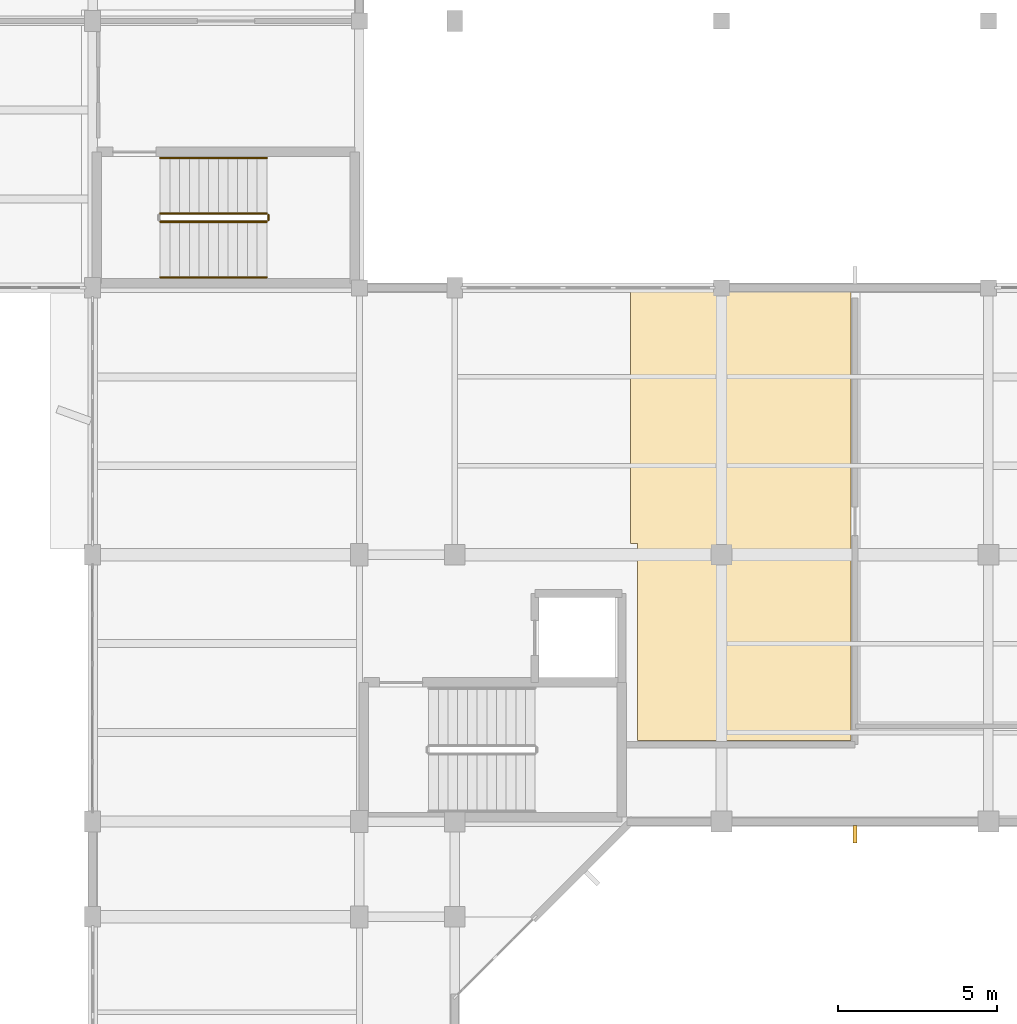
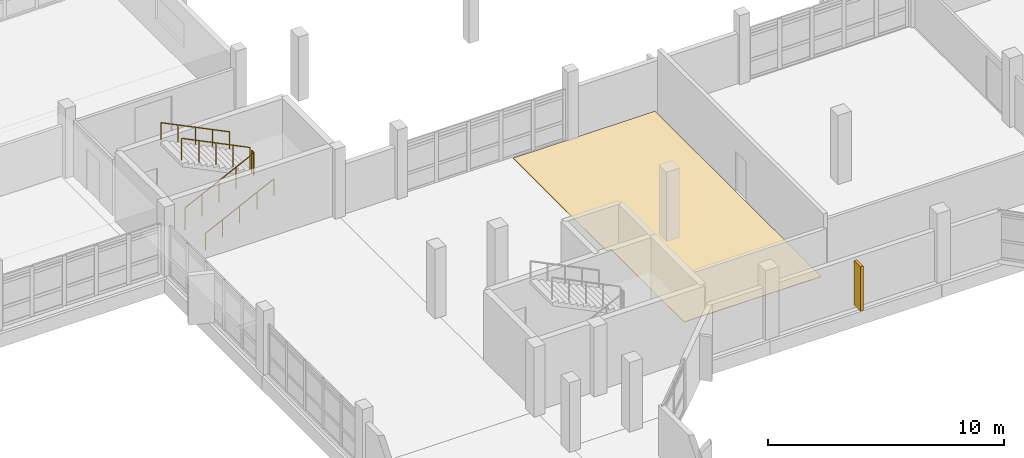
# One storey, part 93 of 104: 5 railings, 1 covering, 1 shading device.
"""IFC4 building model written with IfcOpenShell, lengths in metres."""

from ifc_helpers import new_model, si_unit, direction, frame, origin, origin_2d, place, context, subcontext, project, spatial, polyline, rectangle, circle, outline, extrude, material, layer, layer_set, type_object, element, save


model = new_model("IFC4")

# Units and contexts
model_context = context("Model", 3, precision=1e-05, world=origin(), true_north=direction((0.0, 1.0)))
body_context = subcontext(model_context, "Body", "Model", "MODEL_VIEW")
ifc_project = project(units=[si_unit("LENGTHUNIT", "METRE"), si_unit("AREAUNIT", "SQUARE_METRE"), si_unit("VOLUMEUNIT", "CUBIC_METRE"), si_unit("PLANEANGLEUNIT", "RADIAN"), si_unit("MASSUNIT", "GRAM", prefix="KILO")], contexts=[model_context])

# Site, building, storey
site_placement = place(None, origin())
site = spatial("IfcSite", under=ifc_project, at=site_placement, CompositionType="ELEMENT")
building_placement = place(site_placement, origin())
building = spatial("IfcBuilding", under=site, at=building_placement, Name="Vanh Quang Courtyard School", CompositionType="ELEMENT")
storey_placement = place(building_placement, frame((0.0, 0.0, 4.199951171875)))
storey = spatial("IfcBuildingStorey", under=building, at=storey_placement, Name="L01", CompositionType="ELEMENT", Elevation=4.199951171875)

# Covering
ifc_material_1 = material(Name="Polished cementitious terrazzo tile", Category="concrete")
ifc_layer = layer(ifc_material_1, 0.02001953125)
ifc_layer_set = layer_set([ifc_layer], Name="Polished cementitious terrazzo tile")
covering_type = type_object("IfcCoveringType", Name="COV-FLR-TERRAZZO", PredefinedType="FLOORING", material=ifc_layer_set)
covering_placement = place(storey_placement, origin())
element("IfcCovering", 1, at=covering_placement, inside=storey, type_object=covering_type, Name="Covering CV-FL1 (L01)", PredefinedType="FLOORING", context=body_context, shape_type="SweptSolid", body=[
    extrude(outline(polyline([(53.27001953125, 73.9599609375), (53.27001953125, 73.958984375), (53.269775390625, 73.9580078125), (53.26953125, 73.95703125), (53.269287109375, 73.956298828125), (53.268798828125, 73.955322265625), (53.268310546875, 73.954345703125), (53.267578125, 73.95361328125), (53.26708984375, 73.952880859375), (53.266357421875, 73.952392578125), (53.265625, 73.95166015625), (53.2646484375, 73.951171875), (53.263916015625, 73.95068359375), (53.262939453125, 73.950439453125), (53.261962890625, 73.9501953125), (53.260986328125, 73.949951171875), (53.260009765625, 73.949951171875), (46.550048828125, 73.949951171875), (46.550048828125, 80.14990234375), (46.330078125, 80.14990234375), (46.330078125, 88.06005859375), (46.330078125, 88.06103515625), (46.330078125, 88.06201171875), (46.330322265625, 88.06298828125), (46.330810546875, 88.063720703125), (46.331298828125, 88.064697265625), (46.331787109375, 88.065673828125), (46.332275390625, 88.06640625), (46.3330078125, 88.067138671875), (46.333740234375, 88.067626953125), (46.33447265625, 88.068359375), (46.335205078125, 88.06884765625), (46.336181640625, 88.069091796875), (46.337158203125, 88.069580078125), (46.337890625, 88.06982421875), (46.339111328125, 88.070068359375), (46.340087890625, 88.070068359375), (53.260009765625, 88.070068359375), (53.260986328125, 88.070068359375), (53.261962890625, 88.06982421875), (53.262939453125, 88.069580078125), (53.263916015625, 88.069091796875), (53.2646484375, 88.06884765625), (53.265625, 88.068359375), (53.266357421875, 88.067626953125), (53.26708984375, 88.067138671875), (53.267578125, 88.06640625), (53.268310546875, 88.065673828125), (53.268798828125, 88.064697265625), (53.269287109375, 88.063720703125), (53.26953125, 88.06298828125), (53.269775390625, 88.06201171875), (53.27001953125, 88.06103515625), (53.27001953125, 88.06005859375), (53.27001953125, 73.9599609375)])), origin(), (0.0, 0.0, 1.0), 0.02001953125),
])

# Railings
ifc_material_2 = material(Name="Galvanised painted steel EN 10025-2 S355J2", Category="steel")
railing_type_1 = type_object("IfcRailingType", Name="RAIL-GUARD-1150", PredefinedType="BALUSTRADE", material=ifc_material_2)
railing_1_placement = place(storey_placement, frame((31.530029296875, 90.280029296875, 0.150146484375)))
element("IfcRailing", 2, at=railing_1_placement, inside=storey, type_object=railing_type_1, Name="L01 ST-07 stair guard 1", PredefinedType="BALUSTRADE", context=body_context, shape_type="SweptSolid", body=[
    extrude(circle(Radius=0.02392578125, at=origin_2d()), frame((0.0, 0.0, 1.1259765625), z_axis=(0.897359292542, 0.0, 0.441300691239), x_axis=(0.0, 1.0, 0.0)), (0.0, 0.0, 1.0), 3.73876953125),
    extrude(circle(Radius=0.02099609375, at=origin_2d()), origin(), (0.0, 0.0, 1.0), 1.101806640625),
    extrude(circle(Radius=0.02099609375, at=origin_2d()), frame((0.8388671875, 0.0, 0.41259765625)), (0.0, 0.0, 1.0), 1.101806640625),
    extrude(circle(Radius=0.02099609375, at=origin_2d()), frame((1.677490234375, 0.0, 0.824951171875)), (0.0, 0.0, 1.0), 1.101806640625),
    extrude(circle(Radius=0.02099609375, at=origin_2d()), frame((2.51611328125, 0.0, 1.2373046875)), (0.0, 0.0, 1.0), 1.101806640625),
    extrude(circle(Radius=0.02099609375, at=origin_2d()), frame((3.35498046875, 0.0, 1.64990234375)), (0.0, 0.0, 1.0), 1.101806640625),
])
railing_2_placement = place(storey_placement, frame((34.93505859375, 90.330078125, 1.800048828125)))
element("IfcRailing", 3, at=railing_2_placement, inside=storey, type_object=railing_type_1, Name="L01 ST-07 stair guard 2", PredefinedType="BALUSTRADE", context=body_context, shape_type="SweptSolid", body=[
    extrude(circle(Radius=0.02392578125, at=origin_2d()), frame((0.0, 0.0, 1.1259765625), z_axis=(0.0, 1.0, 0.0), x_axis=(-1.0, 0.0, 0.0)), (0.0, 0.0, 1.0), 0.159912109375),
    extrude(circle(Radius=0.02099609375, at=origin_2d()), origin(), (0.0, 0.0, 1.0), 1.101806640625),
    extrude(circle(Radius=0.02099609375, at=origin_2d()), frame((0.0, 0.159912109375, 0.0)), (0.0, 0.0, 1.0), 1.101806640625),
])
railing_3_placement = place(storey_placement, frame((34.885009765625, 90.5400390625, 1.949951171875)))
element("IfcRailing", 4, at=railing_3_placement, inside=storey, type_object=railing_type_1, Name="L01 ST-07 stair guard 3", PredefinedType="BALUSTRADE", context=body_context, shape_type="SweptSolid", body=[
    extrude(circle(Radius=0.02392578125, at=origin_2d()), frame((0.0, 0.0, 1.1259765625), z_axis=(-0.89733343241, 0.0, 0.441353272424), x_axis=(0.0, -1.0, 0.0)), (0.0, 0.0, 1.0), 3.73876953125),
    extrude(circle(Radius=0.02099609375, at=origin_2d()), origin(), (0.0, 0.0, 1.0), 1.101806640625),
    extrude(circle(Radius=0.02099609375, at=origin_2d()), frame((-0.8388671875, 0.0, 0.41259765625)), (0.0, 0.0, 1.0), 1.101806640625),
    extrude(circle(Radius=0.02099609375, at=origin_2d()), frame((-1.677490234375, 0.0, 0.8251953125)), (0.0, 0.0, 1.0), 1.101806640625),
    extrude(circle(Radius=0.02099609375, at=origin_2d()), frame((-2.51611328125, 0.0, 1.237548828125)), (0.0, 0.0, 1.0), 1.101806640625),
    extrude(circle(Radius=0.02099609375, at=origin_2d()), frame((-3.35498046875, 0.0, 1.650146484375)), (0.0, 0.0, 1.0), 1.101806640625),
])
ifc_material_3 = material(Name="Brushed stainless steel", Category="steel")
railing_type_2 = type_object("IfcRailingType", Name="RAIL-HAND-900", PredefinedType="HANDRAIL", material=ifc_material_3)
railing_4_placement = place(storey_placement, frame((31.530029296875, 88.530029296875, 0.150146484375)))
element("IfcRailing", 5, at=railing_4_placement, inside=storey, type_object=railing_type_2, Name="L01 ST-07 stair handrail 1", PredefinedType="HANDRAIL", context=body_context, shape_type="SweptSolid", body=[
    extrude(circle(Radius=0.02392578125, at=origin_2d()), frame((0.0, 0.0, 0.8759765625), z_axis=(0.897359292542, 0.0, 0.441300691239), x_axis=(0.0, 1.0, 0.0)), (0.0, 0.0, 1.0), 3.73876953125),
    extrude(circle(Radius=0.02099609375, at=origin_2d()), origin(), (0.0, 0.0, 1.0), 0.851806640625),
    extrude(circle(Radius=0.02099609375, at=origin_2d()), frame((0.8388671875, 0.0, 0.41259765625)), (0.0, 0.0, 1.0), 0.851806640625),
    extrude(circle(Radius=0.02099609375, at=origin_2d()), frame((1.677490234375, 0.0, 0.824951171875)), (0.0, 0.0, 1.0), 0.851806640625),
    extrude(circle(Radius=0.02099609375, at=origin_2d()), frame((2.51611328125, 0.0, 1.2373046875)), (0.0, 0.0, 1.0), 0.851806640625),
    extrude(circle(Radius=0.02099609375, at=origin_2d()), frame((3.35498046875, 0.0, 1.64990234375)), (0.0, 0.0, 1.0), 0.851806640625),
])
railing_5_placement = place(storey_placement, frame((34.885009765625, 92.2900390625, 1.949951171875)))
element("IfcRailing", 6, at=railing_5_placement, inside=storey, type_object=railing_type_2, Name="L01 ST-07 stair handrail 2", PredefinedType="HANDRAIL", context=body_context, shape_type="SweptSolid", body=[
    extrude(circle(Radius=0.02392578125, at=origin_2d()), frame((0.0, 0.0, 0.8759765625), z_axis=(-0.89733343241, 0.0, 0.441353272424), x_axis=(0.0, -1.0, 0.0)), (0.0, 0.0, 1.0), 3.73876953125),
    extrude(circle(Radius=0.02099609375, at=origin_2d()), origin(), (0.0, 0.0, 1.0), 0.851806640625),
    extrude(circle(Radius=0.02099609375, at=origin_2d()), frame((-0.8388671875, 0.0, 0.41259765625)), (0.0, 0.0, 1.0), 0.851806640625),
    extrude(circle(Radius=0.02099609375, at=origin_2d()), frame((-1.677490234375, 0.0, 0.8251953125)), (0.0, 0.0, 1.0), 0.851806640625),
    extrude(circle(Radius=0.02099609375, at=origin_2d()), frame((-2.51611328125, 0.0, 1.237548828125)), (0.0, 0.0, 1.0), 0.851806640625),
    extrude(circle(Radius=0.02099609375, at=origin_2d()), frame((-3.35498046875, 0.0, 1.650146484375)), (0.0, 0.0, 1.0), 0.851806640625),
])

# Shading device
ifc_material_4 = material(Name="Board-marked precast concrete C40/50", Category="concrete")
shading_device_type = type_object("IfcShadingDeviceType", Name="SHD-FIN-CONCRETE", PredefinedType="USERDEFINED", material=ifc_material_4)
shading_device_placement = place(storey_placement, frame((53.39990234375, 71.0048828125, 0.14990234375), z_axis=(0.0, 0.0, 1.0), x_axis=(-1.0, 0.0, 0.0)))
element("IfcShadingDevice", 7, at=shading_device_placement, inside=storey, type_object=shading_device_type, Name="Solar Shading SH-02 (L01)", ObjectType="Solar Shading SH-02 (L01)", PredefinedType="USERDEFINED", context=body_context, shape_type="SweptSolid", body=[
    extrude(rectangle(XDim=0.139892578125, YDim=0.550048828125, at=origin_2d()), origin(), (0.0, 0.0, 1.0), 2.300048828125),
])

save(model, "model.ifc")
